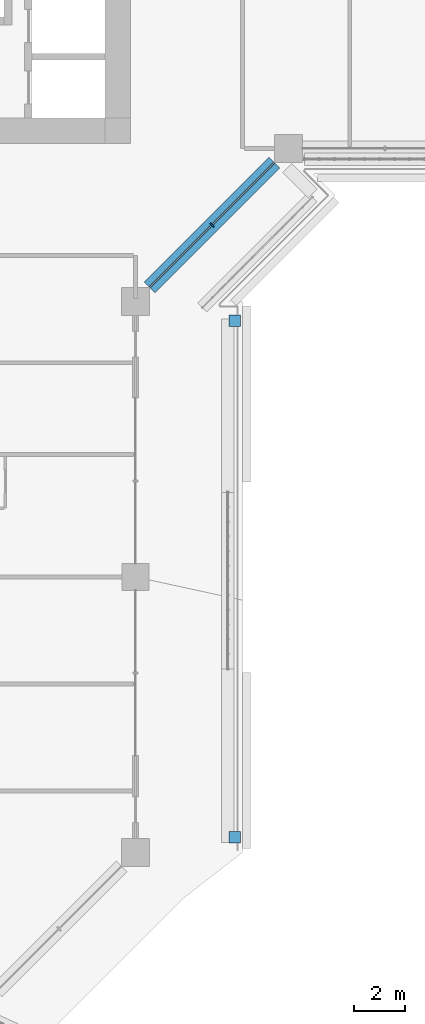
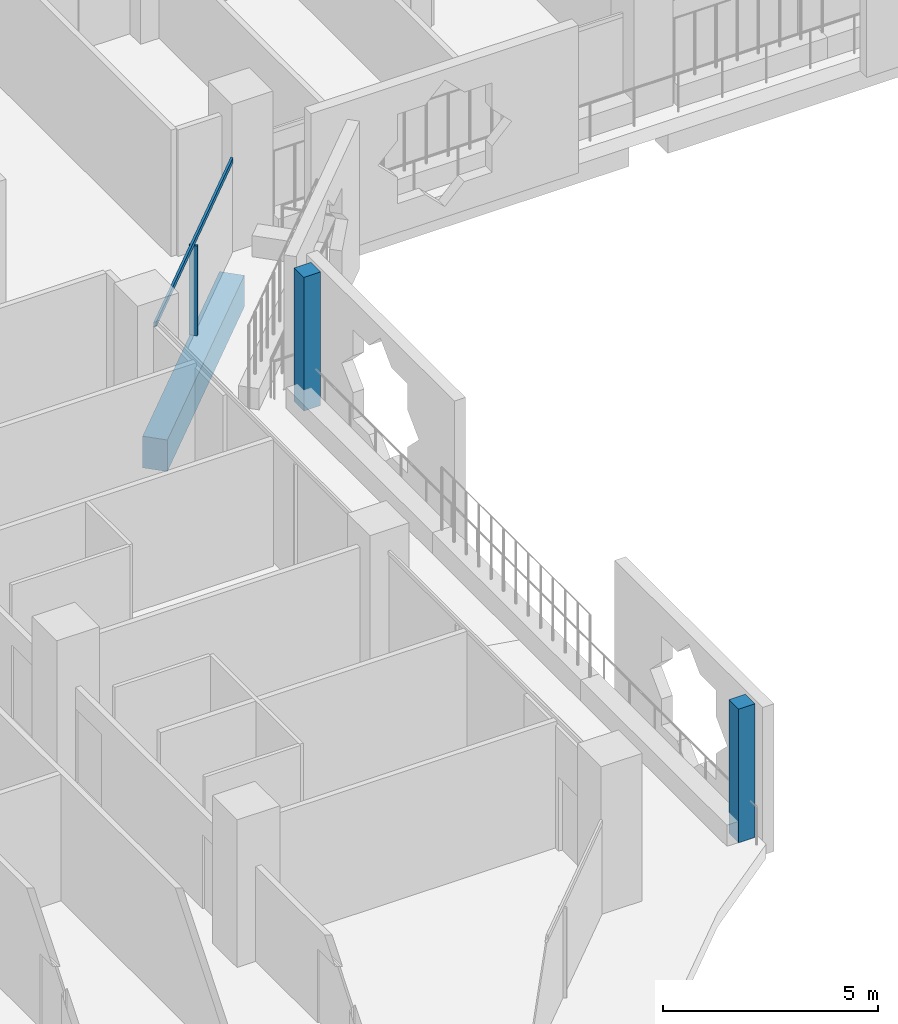
# One storey, part 4 of 27: 4 members, 1 beam, 2 elements without a shape of their own.
"""IFC4 building model written with IfcOpenShell, lengths in metres."""

from ifc_helpers import new_model, si_unit, direction, frame, origin, origin_2d, place, context, subcontext, project, spatial, rectangle, extrude, material, layer, layer_set, material_profile, profile_set, type_object, element, aggregate, save


model = new_model("IFC4")

# Units and contexts
model_context = context("Model", 3, precision=1e-05, world=origin(), true_north=direction((0.0, 1.0)))
body_context = subcontext(model_context, "Body", "Model", "MODEL_VIEW")
ifc_project = project(units=[si_unit("LENGTHUNIT", "METRE"), si_unit("AREAUNIT", "SQUARE_METRE"), si_unit("VOLUMEUNIT", "CUBIC_METRE"), si_unit("PLANEANGLEUNIT", "RADIAN"), si_unit("MASSUNIT", "GRAM", prefix="KILO")], contexts=[model_context])

# Site, building, storey
site_placement = place(None, origin())
site = spatial("IfcSite", under=ifc_project, at=site_placement, CompositionType="ELEMENT")
building_placement = place(site_placement, origin())
building = spatial("IfcBuilding", under=site, at=building_placement, Name="Kawkab Arch Medical Tower", CompositionType="ELEMENT")
storey_placement = place(building_placement, frame((0.0, 0.0, 115.60009765625)))
storey = spatial("IfcBuildingStorey", under=building, at=storey_placement, Name="L26", CompositionType="ELEMENT", Elevation=115.60009765625)

# Curtain wall, members
ifc_material_1 = material(Name="Bronze anodised aluminium curtain wall frame", Category="aluminium")
ifc_layer_1 = layer(ifc_material_1, 0.159912109375)
ifc_layer_set_1 = layer_set([ifc_layer_1], Name="Bronze anodised aluminium curtain wall frame")
curtain_wall_type_1 = type_object("IfcCurtainWallType", Name="CW2 chamfer curtain wall", PredefinedType="NOTDEFINED", material=ifc_layer_set_1)
placement = place(storey_placement, origin())
curtain_wall_1 = element("IfcCurtainWall", 1, at=placement, inside=storey, type_object=curtain_wall_type_1, Name="CW2 Chamfer curtain wall R06", PredefinedType="NOTDEFINED")
ifc_material_2 = material(Name="Bronze anodised aluminium curtain wall frame", Category="aluminium")
ifc_material_profile_1 = material_profile(ifc_material_2, rectangle(XDim=0.199951171875, YDim=0.06005859375, at=origin_2d()), Name="AL 60x200")
ifc_profile_set_1 = profile_set([ifc_material_profile_1], Name="Bronze anodised aluminium curtain wall frame")
member_type_1 = type_object("IfcMemberType", Name="CW2 mullion 60 x 200", PredefinedType="MULLION", material=ifc_profile_set_1)
member_1_placement = place(storey_placement, frame((28.199951171875, -28.199951171875, 0.0), z_axis=(0.0, 0.0, 1.0), x_axis=(-0.707106781187, 0.707106781187, 0.0)))
member_1 = element("IfcMember", 2, at=member_1_placement, type_object=member_type_1, Name="CW2 mullion 1.1", PredefinedType="MULLION", context=body_context, shape_type="SweptSolid", body=[
    extrude(rectangle(XDim=0.199951171875, YDim=0.06005859375, at=origin_2d()), origin(), (0.0, 0.0, 1.0), 2.559814453125),
])
ifc_material_3 = material(Name="Bronze anodised aluminium curtain wall frame", Category="aluminium")
ifc_material_profile_2 = material_profile(ifc_material_3, rectangle(XDim=0.06005859375, YDim=0.139892578125, at=origin_2d()), Name="AL 60x140")
ifc_profile_set_2 = profile_set([ifc_material_profile_2], Name="Bronze anodised aluminium curtain wall frame")
member_type_2 = type_object("IfcMemberType", Name="CW2 transom 140 x 60", PredefinedType="USERDEFINED", material=ifc_profile_set_2)
member_2_placement = place(storey_placement, frame((25.75, -30.64990234375, 2.6298828125), z_axis=(0.707106781187, 0.707106781187, 0.0), x_axis=(-0.707106781187, 0.707106781187, 0.0)))
member_2 = element("IfcMember", 3, at=member_2_placement, type_object=member_type_2, Name="CW2 transom 1", ObjectType="TRANSOM", PredefinedType="USERDEFINED", context=body_context, shape_type="SweptSolid", body=[
    extrude(rectangle(XDim=0.06005859375, YDim=0.139892578125, at=origin_2d()), origin(), (0.0, 0.0, 1.0), 6.929443359375),
])
aggregate(curtain_wall_1, [member_2, member_1])

ifc_material_4 = material(Name="Bronze anodised aluminium climber frame, planted", Category="aluminium")
ifc_layer_2 = layer(ifc_material_4, 0.449951171875)
ifc_layer_set_2 = layer_set([ifc_layer_2], Name="Bronze anodised aluminium climber frame, planted")
curtain_wall_type_2 = type_object("IfcCurtainWallType", Name="Planted climber frame", PredefinedType="NOTDEFINED", material=ifc_layer_set_2)
curtain_wall_2 = element("IfcCurtainWall", 4, at=placement, inside=storey, type_object=curtain_wall_type_2, Name="Planted climber frame L26", PredefinedType="NOTDEFINED")
ifc_material_5 = material(Name="Bronze anodised aluminium climber frame, planted", Category="aluminium")
ifc_material_profile_3 = material_profile(ifc_material_5, rectangle(XDim=0.449951171875, YDim=0.449951171875, at=origin_2d()), Name="Post 450x450")
ifc_profile_set_3 = profile_set([ifc_material_profile_3], Name="Bronze anodised aluminium climber frame, planted")
member_type_3 = type_object("IfcMemberType", Name="Planted climber post 450 x 450", PredefinedType="MULLION", material=ifc_profile_set_3)
member_3_placement = place(storey_placement, frame((29.10009765625, -31.949951171875, 0.0), z_axis=(0.0, 0.0, 1.0), x_axis=(1.0, 0.0, 0.0)))
member_3 = element("IfcMember", 5, at=member_3_placement, type_object=member_type_3, Name="Planted climber post L26.LOG-01-01.5", PredefinedType="MULLION", context=body_context, shape_type="SweptSolid", body=[
    extrude(rectangle(XDim=0.449951171875, YDim=0.449951171875, at=origin_2d()), origin(), (0.0, 0.0, 1.0), 3.7998046875),
])
member_4_placement = place(storey_placement, frame((29.10009765625, -52.202880859375, 0.0), z_axis=(0.0, 0.0, 1.0), x_axis=(1.0, 0.0, 0.0)))
member_4 = element("IfcMember", 6, at=member_4_placement, type_object=member_type_3, Name="Planted climber post L26.LOG-01-01.6", PredefinedType="MULLION", context=body_context, shape_type="SweptSolid", body=[
    extrude(rectangle(XDim=0.449951171875, YDim=0.449951171875, at=origin_2d()), origin(), (0.0, 0.0, 1.0), 3.7998046875),
])
aggregate(curtain_wall_2, [member_3, member_4])

# Beam
ifc_material_6 = material(Name="Concrete C55/67", Category="concrete")
ifc_material_profile_4 = material_profile(ifc_material_6, rectangle(XDim=0.60009765625, YDim=0.89990234375, at=origin_2d()), Name="RC 600x900")
ifc_profile_set_4 = profile_set([ifc_material_profile_4], Name="Concrete C55/67")
beam_type = type_object("IfcBeamType", Name="RC 600x900 beam C55/67", PredefinedType="BEAM", material=ifc_profile_set_4)
beam_placement = place(storey_placement, frame((30.64990234375, -25.75, -1.050048828125), z_axis=(-0.707106781187, -0.707106781187, 0.0), x_axis=(0.707106781187, -0.707106781187, 0.0)))
element("IfcBeam", 7, at=beam_placement, inside=storey, type_object=beam_type, Name="Overhang edge beam L26-06", PredefinedType="BEAM", context=body_context, shape_type="SweptSolid", body=[
    extrude(rectangle(XDim=0.60009765625, YDim=0.89990234375, at=origin_2d()), origin(), (0.0, 0.0, 1.0), 6.929443359375),
])

save(model, "model.ifc")
